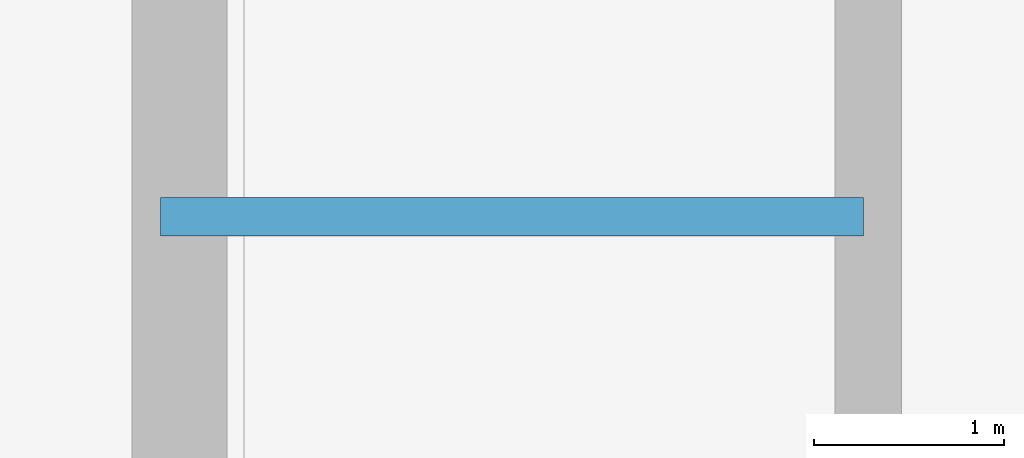
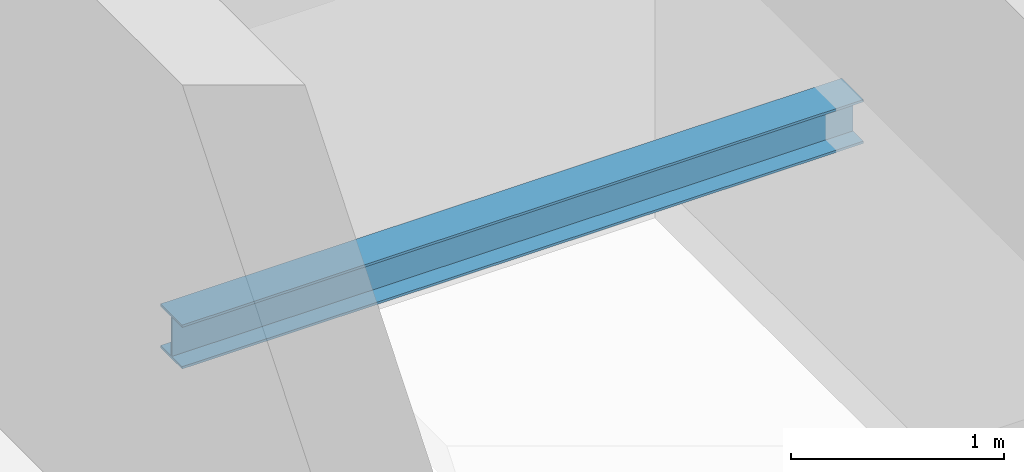
# One storey, part 15 of 33: 1 beam.
"""IFC4 building model written with IfcOpenShell, lengths in metres."""

from ifc_helpers import new_model, si_unit, direction, frame, origin, origin_2d, place, context, subcontext, project, spatial, i_section, extrude, material, material_profile, profile_set, type_object, element, save


model = new_model("IFC4")

# Units and contexts
model_context = context("Model", 3, precision=1e-05, world=origin(), true_north=direction((0.0, 1.0)))
body_context = subcontext(model_context, "Body", "Model", "MODEL_VIEW")
ifc_project = project(units=[si_unit("LENGTHUNIT", "METRE"), si_unit("AREAUNIT", "SQUARE_METRE"), si_unit("VOLUMEUNIT", "CUBIC_METRE"), si_unit("PLANEANGLEUNIT", "RADIAN"), si_unit("MASSUNIT", "GRAM", prefix="KILO")], contexts=[model_context])

# Site, building, storey
site_placement = place(None, origin())
site = spatial("IfcSite", under=ifc_project, at=site_placement, CompositionType="ELEMENT")
building_placement = place(site_placement, origin())
building = spatial("IfcBuilding", under=site, at=building_placement, Name="Veraguas Prism Commons", CompositionType="ELEMENT")
storey_placement = place(building_placement, frame((0.0, 0.0, 198.35009765625)))
storey = spatial("IfcBuildingStorey", under=building, at=storey_placement, Name="L56", CompositionType="ELEMENT", Elevation=198.35009765625)

# Beam
ifc_material = material(Name="Steel ASTM A992 Grade 50", Category="steel")
ifc_material_profile = material_profile(ifc_material, i_section(OverallWidth=0.202880859375, OverallDepth=0.251953125, WebThickness=0.008056640625, FlangeThickness=0.013427734375, at=origin_2d()), Name="W250X58")
ifc_profile_set = profile_set([ifc_material_profile], Name="Steel ASTM A992 Grade 50")
beam_type = type_object("IfcBeamType", Name="Structural Opening Lintel W250x58", PredefinedType="LINTEL", material=ifc_profile_set)
beam_placement = place(storey_placement, frame((17.25, 26.800048828125, 1.298828125), z_axis=(1.0, 0.0, 0.0), x_axis=(0.0, 1.0, 0.0)))
element("IfcBeam", 1, at=beam_placement, inside=storey, type_object=beam_type, Name="Stair ST-01 Half-Landing Support Beam L56-1", PredefinedType="LINTEL", context=body_context, shape_type="SweptSolid", body=[
    extrude(i_section(OverallWidth=0.202880859375, OverallDepth=0.251953125, WebThickness=0.008056640625, FlangeThickness=0.013427734375, at=origin_2d()), origin(), (0.0, 0.0, 1.0), 3.699951171875),
])

save(model, "model.ifc")
